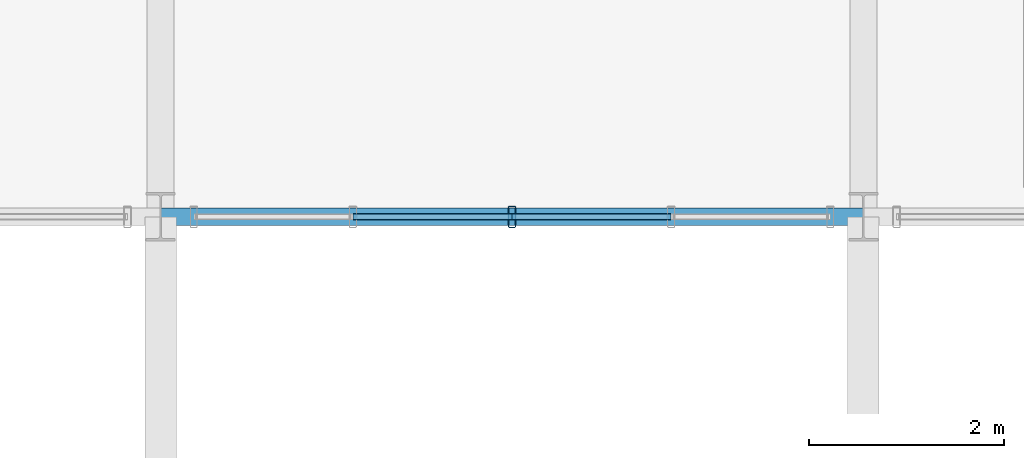
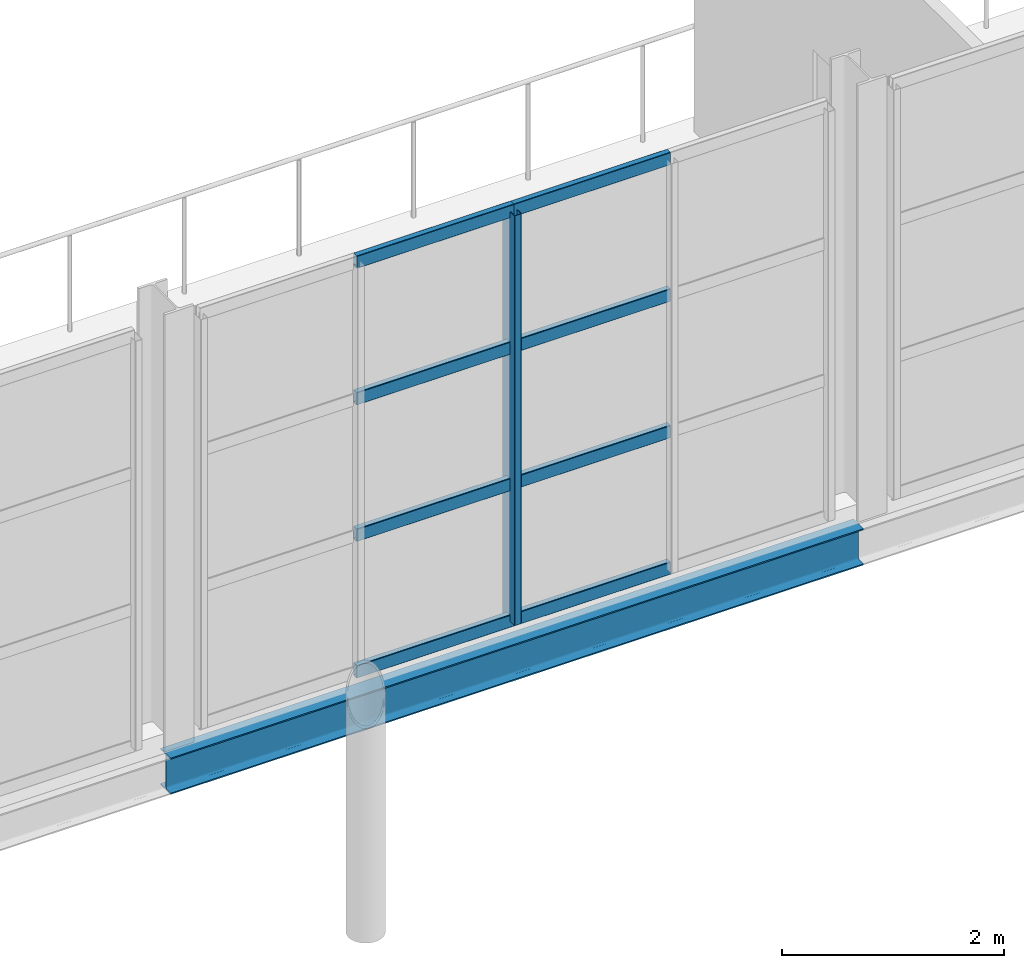
# One storey, part 23 of 143: 9 members, 1 beam, 1 element without a shape of its own.
"""IFC4 building model written with IfcOpenShell, lengths in metres."""

from ifc_helpers import new_model, si_unit, derived_unit, direction, frame, origin, origin_2d, place, context, subcontext, project, spatial, hollow_rectangle, i_section, extrude, material, material_profile, profile_set, type_object, element, aggregate, save


model = new_model("IFC4")

# Units and contexts
model_context = context("Model", 3, precision=1e-05, world=origin(), true_north=direction((0.0, 1.0)))
body_context = subcontext(model_context, "Body", "Model", "MODEL_VIEW")
ifc_project = project(units=[si_unit("LENGTHUNIT", "METRE"), si_unit("AREAUNIT", "SQUARE_METRE"), si_unit("VOLUMEUNIT", "CUBIC_METRE"), si_unit("PLANEANGLEUNIT", "RADIAN"), si_unit("MASSUNIT", "GRAM", prefix="KILO"), derived_unit("THERMALTRANSMITTANCEUNIT", [(si_unit("POWERUNIT", "WATT"), 1), (si_unit("LENGTHUNIT", "METRE"), -2), (si_unit("THERMODYNAMICTEMPERATUREUNIT", "KELVIN"), -1)])], contexts=[model_context])

# Site, building, storey
site_placement = place(None, origin())
site = spatial("IfcSite", under=ifc_project, at=site_placement, CompositionType="ELEMENT")
building_placement = place(site_placement, origin())
building = spatial("IfcBuilding", under=site, at=building_placement, Name="Keldorne Ridge Multi-Sports Centre", CompositionType="ELEMENT")
storey_placement = place(building_placement, frame((0.0, 0.0, 4.800048828125)))
storey = spatial("IfcBuildingStorey", under=building, at=storey_placement, Name="L01", CompositionType="ELEMENT", Elevation=4.800048828125)

# Beam
ifc_material_1 = material(Name="Steel S355", Category="steel")
ifc_material_profile_1 = material_profile(ifc_material_1, i_section(OverallWidth=0.179931640625, OverallDepth=0.39990234375, WebThickness=0.008544921875, FlangeThickness=0.013427734375, FilletRadius=0.02099609375, at=origin_2d()), Name="IPE 400")
ifc_profile_set_1 = profile_set([ifc_material_profile_1], Name="Steel S355")
beam_type = type_object("IfcBeamType", Name="BM-B-04", PredefinedType="BEAM", material=ifc_profile_set_1)
beam_placement = place(storey_placement, frame((49.199951171875, 9.60009765625, -0.420166015625), z_axis=(1.0, 0.0, 0.0), x_axis=(0.0, 1.0, 0.0)))
element("IfcBeam", 1, at=beam_placement, inside=storey, type_object=beam_type, Name="L01 mezzanine south beam 7", PredefinedType="BEAM", context=body_context, shape_type="SweptSolid", body=[
    extrude(i_section(OverallWidth=0.179931640625, OverallDepth=0.39990234375, WebThickness=0.008544921875, FlangeThickness=0.013427734375, FilletRadius=0.02099609375, at=origin_2d()), origin(), (0.0, 0.0, 1.0), 7.199951171875),
])

# Curtain wall, members
ifc_material_2 = material(Name="Anodized aluminium", Category="aluminium")
curtain_wall_type = type_object("IfcCurtainWallType", Name="CW-CW-01", PredefinedType="NOTDEFINED", material=ifc_material_2)
curtain_wall_placement = place(storey_placement, origin())
curtain_wall = element("IfcCurtainWall", 2, at=curtain_wall_placement, inside=storey, type_object=curtain_wall_type, Name="Main Hall south mezzanine curtain wall 017", PredefinedType="NOTDEFINED")
ifc_material_profile_2 = material_profile(ifc_material_2, hollow_rectangle(XDim=0.074951171875, YDim=0.219970703125, WallThickness=0.0048828125, InnerFilletRadius=0.0048828125, OuterFilletRadius=0.010009765625, at=origin_2d()), Name="ALU MULLION 220x75x5")
ifc_profile_set_2 = profile_set([ifc_material_profile_2], Name="Anodized aluminium")
member_type_1 = type_object("IfcMemberType", Name="MEM-ML-02", PredefinedType="MULLION", material=ifc_profile_set_2)
member_1_placement = place(storey_placement, frame((52.800048828125, 9.60009765625, 0.0), z_axis=(0.0, 0.0, 1.0), x_axis=(1.0, 0.0, 0.0)))
member_1 = element("IfcMember", 3, at=member_1_placement, type_object=member_type_1, Name="CW-017 vertical mullion 3", PredefinedType="MULLION", context=body_context, shape_type="SweptSolid", body=[
    extrude(hollow_rectangle(XDim=0.074951171875, YDim=0.219970703125, WallThickness=0.0048828125, InnerFilletRadius=0.0048828125, OuterFilletRadius=0.010009765625, at=origin_2d()), origin(), (0.0, 0.0, 1.0), 4.5),
])
ifc_material_profile_3 = material_profile(ifc_material_2, hollow_rectangle(XDim=0.06494140625, YDim=0.139892578125, WallThickness=0.00439453125, InnerFilletRadius=0.00439453125, OuterFilletRadius=0.009033203125, at=origin_2d()), Name="ALU TRANSOM 140x65x4.5")
ifc_profile_set_3 = profile_set([ifc_material_profile_3], Name="Anodized aluminium")
member_type_2 = type_object("IfcMemberType", Name="MEM-TR-01", PredefinedType="USERDEFINED", material=ifc_profile_set_3)
member_2_placement = place(storey_placement, frame((51.169921875, 9.60009765625, 0.0), z_axis=(1.0, 0.0, 0.0), x_axis=(0.0, 1.0, 0.0)))
member_2 = element("IfcMember", 4, at=member_2_placement, type_object=member_type_2, Name="CW-017 transom 2.1", ObjectType="TRANSOM", PredefinedType="USERDEFINED", context=body_context, shape_type="SweptSolid", body=[
    extrude(hollow_rectangle(XDim=0.06494140625, YDim=0.139892578125, WallThickness=0.00439453125, InnerFilletRadius=0.00439453125, OuterFilletRadius=0.009033203125, at=origin_2d()), origin(), (0.0, 0.0, 1.0), 1.630126953125),
])
member_3_placement = place(storey_placement, frame((51.169921875, 9.60009765625, 1.5), z_axis=(1.0, 0.0, 0.0), x_axis=(0.0, 1.0, 0.0)))
member_3 = element("IfcMember", 5, at=member_3_placement, type_object=member_type_2, Name="CW-017 transom 2.2", ObjectType="TRANSOM", PredefinedType="USERDEFINED", context=body_context, shape_type="SweptSolid", body=[
    extrude(hollow_rectangle(XDim=0.06494140625, YDim=0.139892578125, WallThickness=0.00439453125, InnerFilletRadius=0.00439453125, OuterFilletRadius=0.009033203125, at=origin_2d()), origin(), (0.0, 0.0, 1.0), 1.630126953125),
])
member_4_placement = place(storey_placement, frame((51.169921875, 9.60009765625, 3.0), z_axis=(1.0, 0.0, 0.0), x_axis=(0.0, 1.0, 0.0)))
member_4 = element("IfcMember", 6, at=member_4_placement, type_object=member_type_2, Name="CW-017 transom 2.3", ObjectType="TRANSOM", PredefinedType="USERDEFINED", context=body_context, shape_type="SweptSolid", body=[
    extrude(hollow_rectangle(XDim=0.06494140625, YDim=0.139892578125, WallThickness=0.00439453125, InnerFilletRadius=0.00439453125, OuterFilletRadius=0.009033203125, at=origin_2d()), origin(), (0.0, 0.0, 1.0), 1.630126953125),
])
member_5_placement = place(storey_placement, frame((51.169921875, 9.60009765625, 4.5), z_axis=(1.0, 0.0, 0.0), x_axis=(0.0, 1.0, 0.0)))
member_5 = element("IfcMember", 7, at=member_5_placement, type_object=member_type_2, Name="CW-017 transom 2.4", ObjectType="TRANSOM", PredefinedType="USERDEFINED", context=body_context, shape_type="SweptSolid", body=[
    extrude(hollow_rectangle(XDim=0.06494140625, YDim=0.139892578125, WallThickness=0.00439453125, InnerFilletRadius=0.00439453125, OuterFilletRadius=0.009033203125, at=origin_2d()), origin(), (0.0, 0.0, 1.0), 1.630126953125),
])
member_6_placement = place(storey_placement, frame((52.800048828125, 9.60009765625, 0.0), z_axis=(1.0, 0.0, 0.0), x_axis=(0.0, 1.0, 0.0)))
member_6 = element("IfcMember", 8, at=member_6_placement, type_object=member_type_2, Name="CW-017 transom 3.1", ObjectType="TRANSOM", PredefinedType="USERDEFINED", context=body_context, shape_type="SweptSolid", body=[
    extrude(hollow_rectangle(XDim=0.06494140625, YDim=0.139892578125, WallThickness=0.00439453125, InnerFilletRadius=0.00439453125, OuterFilletRadius=0.009033203125, at=origin_2d()), origin(), (0.0, 0.0, 1.0), 1.6298828125),
])
member_7_placement = place(storey_placement, frame((52.800048828125, 9.60009765625, 1.5), z_axis=(1.0, 0.0, 0.0), x_axis=(0.0, 1.0, 0.0)))
member_7 = element("IfcMember", 9, at=member_7_placement, type_object=member_type_2, Name="CW-017 transom 3.2", ObjectType="TRANSOM", PredefinedType="USERDEFINED", context=body_context, shape_type="SweptSolid", body=[
    extrude(hollow_rectangle(XDim=0.06494140625, YDim=0.139892578125, WallThickness=0.00439453125, InnerFilletRadius=0.00439453125, OuterFilletRadius=0.009033203125, at=origin_2d()), origin(), (0.0, 0.0, 1.0), 1.6298828125),
])
member_8_placement = place(storey_placement, frame((52.800048828125, 9.60009765625, 3.0), z_axis=(1.0, 0.0, 0.0), x_axis=(0.0, 1.0, 0.0)))
member_8 = element("IfcMember", 10, at=member_8_placement, type_object=member_type_2, Name="CW-017 transom 3.3", ObjectType="TRANSOM", PredefinedType="USERDEFINED", context=body_context, shape_type="SweptSolid", body=[
    extrude(hollow_rectangle(XDim=0.06494140625, YDim=0.139892578125, WallThickness=0.00439453125, InnerFilletRadius=0.00439453125, OuterFilletRadius=0.009033203125, at=origin_2d()), origin(), (0.0, 0.0, 1.0), 1.6298828125),
])
member_9_placement = place(storey_placement, frame((52.800048828125, 9.60009765625, 4.5), z_axis=(1.0, 0.0, 0.0), x_axis=(0.0, 1.0, 0.0)))
member_9 = element("IfcMember", 11, at=member_9_placement, type_object=member_type_2, Name="CW-017 transom 3.4", ObjectType="TRANSOM", PredefinedType="USERDEFINED", context=body_context, shape_type="SweptSolid", body=[
    extrude(hollow_rectangle(XDim=0.06494140625, YDim=0.139892578125, WallThickness=0.00439453125, InnerFilletRadius=0.00439453125, OuterFilletRadius=0.009033203125, at=origin_2d()), origin(), (0.0, 0.0, 1.0), 1.6298828125),
])
aggregate(curtain_wall, [member_1, member_2, member_3, member_4, member_5, member_6, member_7, member_8, member_9])

save(model, "model.ifc")
